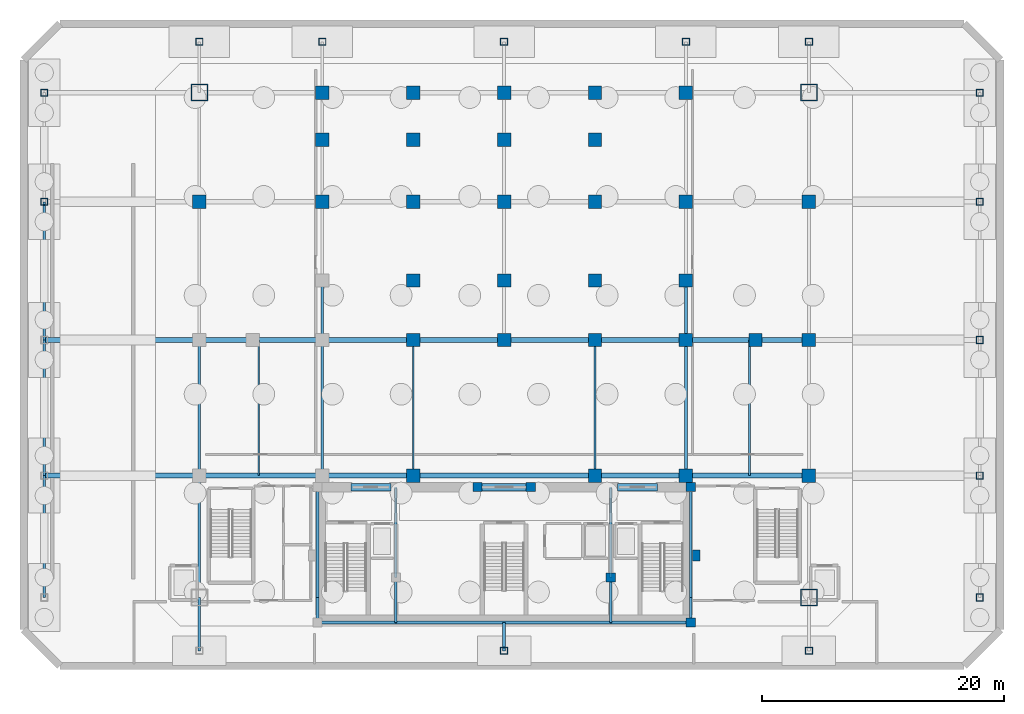
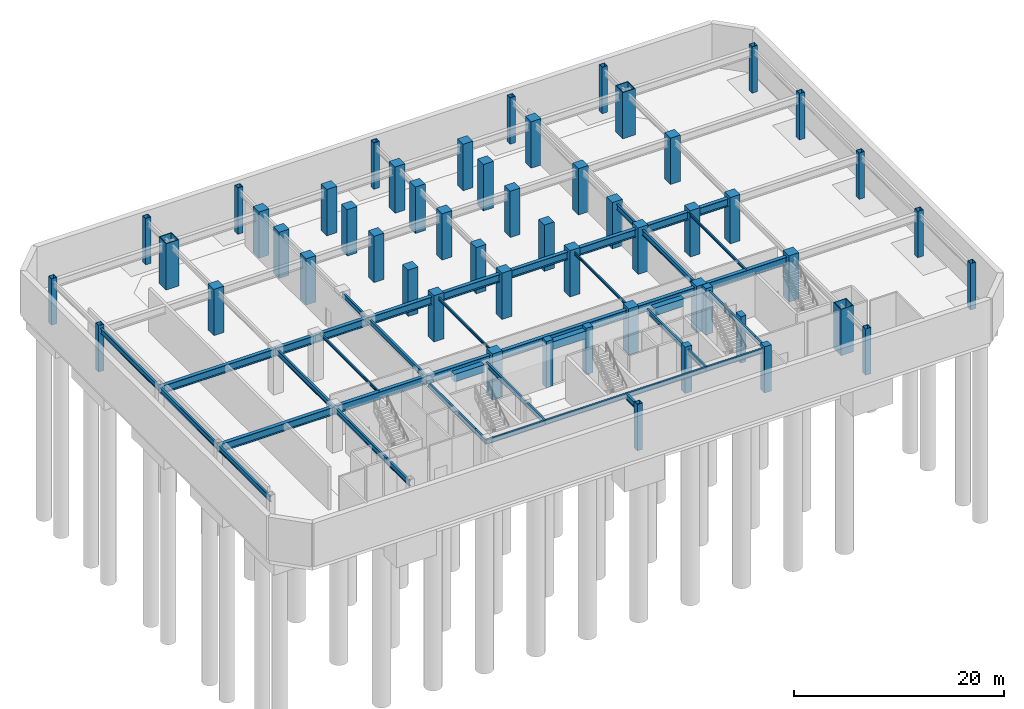
# One storey, part 2 of 10: 53 columns, 44 beams.
"""IFC4 building model written with IfcOpenShell, lengths in metres."""

import ifcopenshell
import ifcopenshell.guid

model = None  # the IFC model being written
_history = None  # IfcOwnerHistory: only IFC2X3 demands one
_inside = {}  # id of a spatial element -> (the spatial element, [elements in it])
_under = {}  # id of a project, library or spatial element -> (it, [spatial elements below it])
_declared = {}  # id of a project -> (the project, [libraries it declares])
_typed = {}  # id of a type object -> (the type object, [elements of that type])
_made_of = {}  # id of a material, layer set ... -> (it, [elements and type objects made of it])


def new_model(schema):
    """Start an empty IFC model of exactly this schema.

    Asked for "IFC4X3", IfcOpenShell would pick the latest addendum, in which some entities
    have other attributes; the version numbers below select the first issue.
    IFC2X3 requires an IfcOwnerHistory on every rooted entity: one is made here for all.
    """
    global model, _history
    if schema == "IFC4X3":
        model = ifcopenshell.file(schema_version=(4, 3, 0, 0))
    else:
        model = ifcopenshell.file(schema=schema)
    _inside.clear()
    _under.clear()
    _declared.clear()
    _typed.clear()
    _made_of.clear()
    _history = None
    if model.schema == "IFC2X3":
        org = make("IfcOrganization", Name="unknown")
        user = make(
            "IfcPersonAndOrganization",
            ThePerson=make("IfcPerson", FamilyName="unknown"),
            TheOrganization=org,
        )
        app = make(
            "IfcApplication",
            ApplicationDeveloper=org,
            Version="unknown",
            ApplicationFullName="unknown",
            ApplicationIdentifier="unknown",
        )
        _history = make(
            "IfcOwnerHistory",
            OwningUser=user,
            OwningApplication=app,
            ChangeAction="ADDED",
            CreationDate=0,
        )
    return model


def make(cls, **values):
    """One entity of the class cls with the attributes given. An attribute that is None is left unset."""
    return model.create_entity(
        cls, **{name: value for name, value in values.items() if value is not None}
    )


def rooted(cls, **values):
    """An entity with a GlobalId (a new one), such as an element, a storey or a relation."""
    return make(cls, GlobalId=ifcopenshell.guid.new(), OwnerHistory=_history, **values)


def si_unit(unit_type, name, prefix=None):
    """IfcSIUnit, for example si_unit("LENGTHUNIT", "METRE", prefix="MILLI")."""
    return make("IfcSIUnit", UnitType=unit_type, Prefix=prefix, Name=name)


def assignment(units):
    """IfcUnitAssignment: the units of a project."""
    return None if units is None else make("IfcUnitAssignment", Units=units)


def point(xyz):
    """IfcCartesianPoint."""
    return None if xyz is None else make("IfcCartesianPoint", Coordinates=xyz)


def direction(xyz):
    """IfcDirection."""
    return None if xyz is None else make("IfcDirection", DirectionRatios=xyz)


def frame(location, z_axis=None, x_axis=None):
    """IfcAxis2Placement3D, a coordinate frame: its origin and axes. An axis left out is left unset."""
    return make(
        "IfcAxis2Placement3D",
        Location=point(location),
        Axis=direction(z_axis),
        RefDirection=direction(x_axis),
    )


def frame_2d(location, x_axis=None):
    """IfcAxis2Placement2D, a coordinate frame in the plane: its origin and x axis."""
    return make(
        "IfcAxis2Placement2D", Location=point(location), RefDirection=direction(x_axis)
    )


def origin():
    """The frame at (0, 0, 0) with its axes left unset."""
    return frame((0.0, 0.0, 0.0))


def origin_2d():
    """The frame at (0, 0) in the plane with its x axis left unset."""
    return frame_2d((0.0, 0.0))


def place(relative_to, where):
    """IfcLocalPlacement: puts the frame where relative to a parent placement (None: the world)."""
    return make(
        "IfcLocalPlacement", PlacementRelTo=relative_to, RelativePlacement=where
    )


def context(
    kind, dimensions, precision=None, world=None, true_north=None, identifier=None
):
    """IfcGeometricRepresentationContext, for example the 3D "Model" context."""
    return make(
        "IfcGeometricRepresentationContext",
        ContextIdentifier=identifier,
        ContextType=kind,
        CoordinateSpaceDimension=dimensions,
        Precision=precision,
        WorldCoordinateSystem=world,
        TrueNorth=true_north,
    )


def subcontext(parent, identifier, kind, view, scale=None):
    """IfcGeometricRepresentationSubContext, for example "Body" below "Model"."""
    return make(
        "IfcGeometricRepresentationSubContext",
        ContextIdentifier=identifier,
        ContextType=kind,
        ParentContext=parent,
        TargetScale=scale,
        TargetView=view,
    )


def project(units=None, contexts=None):
    """IfcProject with its units and contexts."""
    return rooted(
        "IfcProject",
        Name="project",
        RepresentationContexts=contexts,
        UnitsInContext=assignment(units),
    )


def spatial(cls, under=None, at=None, **own):
    """A site, building, storey or space (cls), placed at a placement, below another one or the project."""
    s = rooted(cls, ObjectPlacement=at, **own)
    if under is not None:
        _under.setdefault(under.id(), (under, []))[1].append(s)
    return s


def profile(cls, at=None, kind="AREA", **sizes):
    """A parametric profile (cls). Its sizes go by their IFC names, for example OverallWidth=200.0."""
    return make(cls, ProfileType=kind, Position=at, **sizes)


def rectangle(**sizes):
    """IfcRectangleProfileDef."""
    return profile("IfcRectangleProfileDef", **sizes)


def hollow_rectangle(**sizes):
    """IfcRectangleHollowProfileDef."""
    return profile("IfcRectangleHollowProfileDef", **sizes)


def i_section(**sizes):
    """IfcIShapeProfileDef."""
    return profile("IfcIShapeProfileDef", **sizes)


def extrude(swept, where, along, depth):
    """IfcExtrudedAreaSolid: the profile swept, set in the frame where, extruded along a direction by depth."""
    return make(
        "IfcExtrudedAreaSolid",
        SweptArea=swept,
        Position=where,
        ExtrudedDirection=direction(along),
        Depth=depth,
    )


def shape(context_of_items, identifier, shape_type, items):
    """IfcShapeRepresentation: the items that make up one representation, for example the "Body"."""
    return make(
        "IfcShapeRepresentation",
        ContextOfItems=context_of_items,
        RepresentationIdentifier=identifier,
        RepresentationType=shape_type,
        Items=items,
    )


def material(Name=None, Category=None):
    """IfcMaterial."""
    return make("IfcMaterial", Name=Name, Category=Category)


def material_profile(
    of_material, cross_section, Name=None, Category=None, Priority=None
):
    """IfcMaterialProfile: a cross section and its material."""
    return make(
        "IfcMaterialProfile",
        Name=Name,
        Material=of_material,
        Profile=cross_section,
        Priority=Priority,
        Category=Category,
    )


def profile_set(profiles, Name=None, composite=None):
    """IfcMaterialProfileSet."""
    return make(
        "IfcMaterialProfileSet",
        Name=Name,
        MaterialProfiles=profiles,
        CompositeProfile=composite,
    )


def made_of(thing, what):
    """Note that an element or type object is made of a material, layer set ...; save() writes the relation."""
    if what is not None:
        _made_of.setdefault(what.id(), (what, []))[1].append(thing)
    return thing


def type_object(cls, material=None, **own):
    """A type object (cls), such as IfcWallType, which elements share."""
    return made_of(rooted(cls, **own), material)


def element(
    cls,
    number,
    at=None,
    inside=None,
    cuts=None,
    type_object=None,
    material=None,
    context=None,
    identifier="Body",
    shape_type=None,
    held_by="IfcProductDefinitionShape",
    body=None,
    shapes=None,
    **own,
):
    """One element of the class cls, such as IfcWall. Its Tag is "e" and its number.

    at: its placement. inside: the storey or other place that contains it. cuts: it is an
    opening in that element (IfcRelVoidsElement). A single representation is given by context,
    identifier, shape_type and body (its items); several are given by shapes. held_by: the class
    of the entity that holds the representations. save() writes the other relations.
    """
    e = rooted(cls, Tag="e%d" % number, ObjectPlacement=at, **own)
    if body is not None:
        shapes = [shape(context, identifier, shape_type, body)]
    if shapes is not None:
        e.Representation = make(held_by, Representations=shapes)
    if inside is not None:
        _inside.setdefault(inside.id(), (inside, []))[1].append(e)
    if cuts is not None:
        rooted(
            "IfcRelVoidsElement", RelatingBuildingElement=cuts, RelatedOpeningElement=e
        )
    if type_object is not None:
        _typed.setdefault(type_object.id(), (type_object, []))[1].append(e)
    return made_of(e, material)


def aggregate(whole, parts):
    """IfcRelAggregates: a whole, such as a stair, and the parts it consists of."""
    return rooted("IfcRelAggregates", RelatingObject=whole, RelatedObjects=parts)


def save(model, path):
    """Write the relations noted so far, then the file.

    IfcRelAggregates (storeys below a building ...), IfcRelContainedInSpatialStructure (elements
    in a storey), IfcRelDefinesByType, IfcRelAssociatesMaterial and IfcRelDeclares: one each for
    every whole, place, type object, material and project.
    """
    for whole, parts in _under.values():
        aggregate(whole, parts)
    for where, things in _inside.values():
        rooted(
            "IfcRelContainedInSpatialStructure",
            RelatedElements=things,
            RelatingStructure=where,
        )
    for kind, things in _typed.values():
        rooted("IfcRelDefinesByType", RelatedObjects=things, RelatingType=kind)
    for what, things in _made_of.values():
        rooted("IfcRelAssociatesMaterial", RelatedObjects=things, RelatingMaterial=what)
    for by, libraries in _declared.values():
        rooted("IfcRelDeclares", RelatingContext=by, RelatedDefinitions=libraries)
    model.write(path)


model = new_model("IFC4")

# Units and contexts
model_context = context("Model", 3, precision=1e-05, world=origin(), true_north=direction((0.0, 1.0)))
body_context = subcontext(model_context, "Body", "Model", "MODEL_VIEW")
ifc_project = project(units=[si_unit("LENGTHUNIT", "METRE"), si_unit("AREAUNIT", "SQUARE_METRE"), si_unit("VOLUMEUNIT", "CUBIC_METRE"), si_unit("PLANEANGLEUNIT", "RADIAN"), si_unit("MASSUNIT", "GRAM", prefix="KILO")], contexts=[model_context])

# Site, building, storey
site_placement = place(None, origin())
site = spatial("IfcSite", under=ifc_project, at=site_placement, CompositionType="ELEMENT")
building_placement = place(site_placement, origin())
building = spatial("IfcBuilding", under=site, at=building_placement, Name="Ventersveld Concourse Tower", CompositionType="ELEMENT")
storey_placement = place(building_placement, frame((0.0, 0.0, -10.800048828125)))
storey = spatial("IfcBuildingStorey", under=building, at=storey_placement, Name="B02", CompositionType="ELEMENT", Elevation=-10.800048828125)

# Columns
ifc_material_1 = material(Name="Structural steel S355ML", Category="steel")
ifc_material_profile_1 = material_profile(ifc_material_1, hollow_rectangle(XDim=0.60009765625, YDim=0.60009765625, WallThickness=0.0400390625, at=origin_2d()), Name="BOX 600x600x40")
ifc_profile_set_1 = profile_set([ifc_material_profile_1], Name="Structural steel S355ML")
column_type_1 = type_object("IfcColumnType", Name="COL-BOX600", PredefinedType="COLUMN", material=ifc_profile_set_1)
for number, where, z_axis, x_axis, name in (
    (1, (-9.199951171875, 35.0, 0.0), (0.0, 0.0, 1.0), (1.0, 0.0, 0.0), "B02 Podium Perimeter Column 04"),
    (2, (-9.199951171875, 44.0, 0.0), (0.0, 0.0, 1.0), (1.0, 0.0, 0.0), "B02 Podium Perimeter Column 05"),
    (3, (68.0, 2.35009765625, 0.0), (0.0, 0.0, 1.0), (1.0, 0.0, 0.0), "B02 Podium Perimeter Column 06"),
    (4, (68.0, 12.39990234375, 0.0), (0.0, 0.0, 1.0), (1.0, 0.0, 0.0), "B02 Podium Perimeter Column 07"),
    (5, (68.0, 23.60009765625, 0.0), (0.0, 0.0, 1.0), (1.0, 0.0, 0.0), "B02 Podium Perimeter Column 08"),
    (6, (68.0, 35.0, 0.0), (0.0, 0.0, 1.0), (1.0, 0.0, 0.0), "B02 Podium Perimeter Column 09"),
    (7, (68.0, 44.0, 0.0), (0.0, 0.0, 1.0), (1.0, 0.0, 0.0), "B02 Podium Perimeter Column 10"),
    (8, (3.60009765625, 48.199951171875, 0.0), (0.0, 0.0, 1.0), (1.0, 0.0, 0.0), "B02 Podium Perimeter Column 11"),
    (9, (13.75, 48.199951171875, 0.0), (0.0, 0.0, 1.0), (1.0, 0.0, 0.0), "B02 Podium Perimeter Column 12"),
    (10, (28.75, 48.199951171875, 0.0), (0.0, 0.0, 1.0), (1.0, 0.0, 0.0), "B02 Podium Perimeter Column 13"),
    (11, (43.75, 48.199951171875, 0.0), (0.0, 0.0, 1.0), (1.0, 0.0, 0.0), "B02 Podium Perimeter Column 14"),
    (12, (53.89990234375, 48.199951171875, 0.0), (0.0, 0.0, 1.0), (1.0, 0.0, 0.0), "B02 Podium Perimeter Column 15"),
    (13, (28.75, -2.050048828125, 0.0), (0.0, 0.0, 1.0), (1.0, 0.0, 0.0), "B02 Podium Perimeter Column 17"),
    (14, (53.89990234375, -2.050048828125, 0.0), (0.0, 0.0, 1.0), (1.0, 0.0, 0.0), "B02 Podium Perimeter Column 18"),
):
    element("IfcColumn", number, at=place(storey_placement, frame(where, z_axis=z_axis, x_axis=x_axis)), inside=storey, type_object=column_type_1, Name=name, PredefinedType="COLUMN", context=body_context, shape_type="SweptSolid", body=[
        extrude(hollow_rectangle(XDim=0.60009765625, YDim=0.60009765625, WallThickness=0.0400390625, at=origin_2d()), origin(), (0.0, 0.0, 1.0), 5.400146484375),
    ])
ifc_material_2 = material(Name="Concrete C60/75", Category="concrete")
ifc_material_profile_2 = material_profile(ifc_material_2, rectangle(XDim=1.10009765625, YDim=1.10009765625, at=origin_2d()), Name="RC 1100x1100")
ifc_profile_set_2 = profile_set([ifc_material_profile_2], Name="Concrete C60/75")
column_type_2 = type_object("IfcColumnType", Name="COL-RC1100", PredefinedType="COLUMN", material=ifc_profile_set_2)
for number, where, z_axis, x_axis, name in (
    (15, (3.60009765625, 35.0, 0.0), (0.0, 0.0, 1.0), (1.0, 0.0, 0.0), "B02 Station Grid Column G1B-E"),
    (16, (13.75, 35.0, 0.0), (0.0, 0.0, 1.0), (1.0, 0.0, 0.0), "B02 Station Grid Column G3-E"),
    (17, (13.75, 44.0, 0.0), (0.0, 0.0, 1.0), (1.0, 0.0, 0.0), "B02 Station Grid Column G3-F"),
    (18, (28.75, 23.60009765625, 0.0), (0.0, 0.0, 1.0), (1.0, 0.0, 0.0), "B02 Station Grid Column G5-D"),
    (19, (28.75, 35.0, 0.0), (0.0, 0.0, 1.0), (1.0, 0.0, 0.0), "B02 Station Grid Column G5-E"),
    (20, (28.75, 44.0, 0.0), (0.0, 0.0, 1.0), (1.0, 0.0, 0.0), "B02 Station Grid Column G5-F"),
    (21, (43.75, 12.39990234375, 0.0), (0.0, 0.0, 1.0), (1.0, 0.0, 0.0), "B02 Station Grid Column G7-C"),
    (22, (43.75, 23.60009765625, 0.0), (0.0, 0.0, 1.0), (1.0, 0.0, 0.0), "B02 Station Grid Column G7-D"),
    (23, (43.75, 35.0, 0.0), (0.0, 0.0, 1.0), (1.0, 0.0, 0.0), "B02 Station Grid Column G7-E"),
    (24, (43.75, 44.0, 0.0), (0.0, 0.0, 1.0), (1.0, 0.0, 0.0), "B02 Station Grid Column G7-F"),
    (25, (53.89990234375, 12.39990234375, 0.0), (0.0, 0.0, 1.0), (1.0, 0.0, 0.0), "B02 Station Grid Column G8B-C"),
    (26, (53.89990234375, 23.60009765625, 0.0), (0.0, 0.0, 1.0), (1.0, 0.0, 0.0), "B02 Station Grid Column G8B-D"),
    (27, (53.89990234375, 35.0, 0.0), (0.0, 0.0, 1.0), (1.0, 0.0, 0.0), "B02 Station Grid Column G8B-E"),
    (28, (21.25, 12.39990234375, 0.0), (0.0, 0.0, 1.0), (1.0, 0.0, 0.0), "B02 Station Tower-Line Column G4C"),
    (29, (36.25, 12.39990234375, 0.0), (0.0, 0.0, 1.0), (1.0, 0.0, 0.0), "B02 Station Tower-Line Column G6C"),
    (30, (21.25, 23.60009765625, 0.0), (0.0, 0.0, 1.0), (1.0, 0.0, 0.0), "B02 Station Tower-Line Column G4D"),
    (31, (36.25, 23.60009765625, 0.0), (0.0, 0.0, 1.0), (1.0, 0.0, 0.0), "B02 Station Tower-Line Column G6D"),
    (32, (49.5, 23.60009765625, 0.0), (0.0, 0.0, 1.0), (1.0, 0.0, 0.0), "B02 Station Tower-Line Column G8AD"),
    (33, (21.25, 28.5, 0.0), (0.0, 0.0, 1.0), (1.0, 0.0, 0.0), "B02 Station Tower-Line Column G4DN"),
    (34, (28.75, 28.5, 0.0), (0.0, 0.0, 1.0), (1.0, 0.0, 0.0), "B02 Station Tower-Line Column G5DN"),
    (35, (36.25, 28.5, 0.0), (0.0, 0.0, 1.0), (1.0, 0.0, 0.0), "B02 Station Tower-Line Column G6DN"),
    (36, (43.75, 28.5, 0.0), (0.0, 0.0, 1.0), (1.0, 0.0, 0.0), "B02 Station Tower-Line Column G7DN"),
    (37, (21.25, 35.0, 0.0), (0.0, 0.0, 1.0), (1.0, 0.0, 0.0), "B02 Station Tower-Line Column G4E"),
    (38, (36.25, 35.0, 0.0), (0.0, 0.0, 1.0), (1.0, 0.0, 0.0), "B02 Station Tower-Line Column G6E"),
    (39, (13.75, 40.1201171875, 0.0), (0.0, 0.0, 1.0), (1.0, 0.0, 0.0), "B02 Station Tower-Line Column G3EM"),
    (40, (21.25, 40.1201171875, 0.0), (0.0, 0.0, 1.0), (1.0, 0.0, 0.0), "B02 Station Tower-Line Column G4EM"),
    (41, (28.75, 40.1201171875, 0.0), (0.0, 0.0, 1.0), (1.0, 0.0, 0.0), "B02 Station Tower-Line Column G5EM"),
    (42, (36.25, 40.1201171875, 0.0), (0.0, 0.0, 1.0), (1.0, 0.0, 0.0), "B02 Station Tower-Line Column G6EM"),
    (43, (21.25, 44.0, 0.0), (0.0, 0.0, 1.0), (1.0, 0.0, 0.0), "B02 Station Tower-Line Column G4F"),
    (44, (36.25, 44.0, 0.0), (0.0, 0.0, 1.0), (1.0, 0.0, 0.0), "B02 Station Tower-Line Column G6F"),
):
    element("IfcColumn", number, at=place(storey_placement, frame(where, z_axis=z_axis, x_axis=x_axis)), inside=storey, type_object=column_type_2, Name=name, PredefinedType="COLUMN", context=body_context, shape_type="SweptSolid", body=[
        extrude(rectangle(XDim=1.10009765625, YDim=1.10009765625, at=origin_2d()), origin(), (0.0, 0.0, 1.0), 5.400146484375),
    ])
ifc_material_3 = material(Name="Concrete C50/60", Category="concrete")
ifc_material_profile_3 = material_profile(ifc_material_3, rectangle(XDim=0.75, YDim=0.75, at=origin_2d()), Name="RC 750x750")
ifc_profile_set_3 = profile_set([ifc_material_profile_3], Name="Concrete C50/60")
column_type_3 = type_object("IfcColumnType", Name="COL-RC750", PredefinedType="COLUMN", material=ifc_profile_set_3)
for number, where, z_axis, x_axis, name in (
    (45, (44.14990234375, 0.280029296875, 0.0), (0.0, 0.0, 1.0), (1.0, 0.0, 0.0), "B02 Core Spine Column CC-SE"),
    (46, (44.14990234375, 11.449951171875, 0.0), (0.0, 0.0, 1.0), (1.0, 0.0, 0.0), "B02 Core Spine Column CC-NE"),
    (47, (37.550048828125, 4.0, 0.0), (0.0, 0.0, 1.0), (1.0, 0.0, 0.0), "B02 Core Spine Column CM-2"),
    (48, (26.550048828125, 11.449951171875, 0.0), (0.0, 0.0, 1.0), (1.0, 0.0, 0.0), "B02 Core Spine Column CM-3"),
    (49, (30.949951171875, 11.449951171875, 0.0), (0.0, 0.0, 1.0), (1.0, 0.0, 0.0), "B02 Core Spine Column CM-4"),
):
    element("IfcColumn", number, at=place(storey_placement, frame(where, z_axis=z_axis, x_axis=x_axis)), inside=storey, type_object=column_type_3, Name=name, PredefinedType="COLUMN", context=body_context, shape_type="SweptSolid", body=[
        extrude(rectangle(XDim=0.75, YDim=0.75, at=origin_2d()), origin(), (0.0, 0.0, 1.0), 5.400146484375),
    ])
ifc_material_4 = material(Name="Structural steel S460ML", Category="steel")
ifc_material_profile_4 = material_profile(ifc_material_4, hollow_rectangle(XDim=1.39990234375, YDim=1.39990234375, WallThickness=0.080078125, at=origin_2d()), Name="BOX 1400x1400x80")
ifc_profile_set_4 = profile_set([ifc_material_profile_4], Name="Structural steel S460ML")
column_type_4 = type_object("IfcColumnType", Name="MC-1400", PredefinedType="USERDEFINED", material=ifc_profile_set_4)
for number, where, z_axis, x_axis, name in (
    (50, (53.89990234375, 2.35009765625, 0.0), (0.0, 0.0, 1.0), (1.0, 0.0, 0.0), "B02 Corner Mega-Column MC-SE"),
    (51, (53.89990234375, 44.0, 0.0), (0.0, 0.0, 1.0), (1.0, 0.0, 0.0), "B02 Corner Mega-Column MC-NE"),
    (52, (3.60009765625, 44.0, 0.0), (0.0, 0.0, 1.0), (1.0, 0.0, 0.0), "B02 Corner Mega-Column MC-NW"),
):
    element("IfcColumn", number, at=place(storey_placement, frame(where, z_axis=z_axis, x_axis=x_axis)), inside=storey, type_object=column_type_4, Name=name, ObjectType="MEGA_COLUMN", PredefinedType="USERDEFINED", context=body_context, shape_type="SweptSolid", body=[
        extrude(hollow_rectangle(XDim=1.39990234375, YDim=1.39990234375, WallThickness=0.080078125, at=origin_2d()), origin(), (0.0, 0.0, 1.0), 5.400146484375),
    ])
ifc_material_profile_5 = material_profile(ifc_material_2, rectangle(XDim=0.60009765625, YDim=0.89990234375, at=origin_2d()), Name="RC 600x900")
ifc_profile_set_5 = profile_set([ifc_material_profile_5], Name="Concrete C60/75")
column_type_5 = type_object("IfcColumnType", Name="PIL-RC600x900", PredefinedType="PILASTER", material=ifc_profile_set_5)
column_placement = place(storey_placement, frame((44.60009765625, 5.800048828125, 0.0), z_axis=(0.0, 0.0, 1.0), x_axis=(1.0, 0.0, 0.0)))
element("IfcColumn", 53, at=column_placement, inside=storey, type_object=column_type_5, Name="B02 Core Engaged Pilaster PIL-E", PredefinedType="PILASTER", context=body_context, shape_type="SweptSolid", body=[
    extrude(rectangle(XDim=0.60009765625, YDim=0.89990234375, at=origin_2d()), origin(), (0.0, 0.0, 1.0), 5.400146484375),
])

# Beams
ifc_material_profile_6 = material_profile(ifc_material_2, rectangle(XDim=0.60009765625, YDim=0.89990234375, at=origin_2d()), Name="RC 600x900")
ifc_profile_set_6 = profile_set([ifc_material_profile_6], Name="Concrete C60/75")
beam_type_1 = type_object("IfcBeamType", Name="CB-RC600x900L", PredefinedType="LINTEL", material=ifc_profile_set_6)
beam_1_placement = place(storey_placement, frame((16.10009765625, 11.449951171875, 4.60009765625), z_axis=(1.0, 0.0, 0.0), x_axis=(0.0, 1.0, 0.0)))
element("IfcBeam", 54, at=beam_1_placement, inside=storey, type_object=beam_type_1, Name="B02 Core Coupling Lintel Beam 1", PredefinedType="LINTEL", context=body_context, shape_type="SweptSolid", body=[
    extrude(rectangle(XDim=0.60009765625, YDim=0.89990234375, at=origin_2d()), origin(), (0.0, 0.0, 1.0), 3.2998046875),
])
beam_2_placement = place(storey_placement, frame((26.5, 11.449951171875, 4.60009765625), z_axis=(1.0, 0.0, 0.0), x_axis=(0.0, 1.0, 0.0)))
element("IfcBeam", 55, at=beam_2_placement, inside=storey, type_object=beam_type_1, Name="B02 Core Coupling Lintel Beam 2", PredefinedType="LINTEL", context=body_context, shape_type="SweptSolid", body=[
    extrude(rectangle(XDim=0.60009765625, YDim=0.89990234375, at=origin_2d()), origin(), (0.0, 0.0, 1.0), 4.5),
])
beam_3_placement = place(storey_placement, frame((38.10009765625, 11.449951171875, 4.60009765625), z_axis=(1.0, 0.0, 0.0), x_axis=(0.0, 1.0, 0.0)))
element("IfcBeam", 56, at=beam_3_placement, inside=storey, type_object=beam_type_1, Name="B02 Core Coupling Lintel Beam 3", PredefinedType="LINTEL", context=body_context, shape_type="SweptSolid", body=[
    extrude(rectangle(XDim=0.60009765625, YDim=0.89990234375, at=origin_2d()), origin(), (0.0, 0.0, 1.0), 3.2998046875),
])
ifc_material_5 = material(Name="Structural steel S355J2", Category="steel")
ifc_material_profile_7 = material_profile(ifc_material_5, i_section(OverallWidth=0.39990234375, OverallDepth=0.89990234375, WebThickness=0.02197265625, FlangeThickness=0.035888671875, at=origin_2d()), Name="PG 900x400x36")
ifc_profile_set_7 = profile_set([ifc_material_profile_7], Name="Structural steel S355J2")
beam_type_2 = type_object("IfcBeamType", Name="GRD-PG900", PredefinedType="USERDEFINED", material=ifc_profile_set_7)
beam_4_placement = place(storey_placement, frame((-9.199951171875, 12.39990234375, 4.60009765625), z_axis=(1.0, 0.0, 0.0), x_axis=(0.0, 1.0, 0.0)))
element("IfcBeam", 57, at=beam_4_placement, inside=storey, type_object=beam_type_2, Name="B02 Podium Primary Girder Y=12.4m", ObjectType="GIRDER", PredefinedType="USERDEFINED", context=body_context, shape_type="SweptSolid", body=[
    extrude(i_section(OverallWidth=0.39990234375, OverallDepth=0.89990234375, WebThickness=0.02197265625, FlangeThickness=0.035888671875, at=origin_2d()), origin(), (0.0, 0.0, 1.0), 12.800048828125),
])
beam_5_placement = place(storey_placement, frame((3.60009765625, 12.39990234375, 4.60009765625), z_axis=(1.0, 0.0, 0.0), x_axis=(0.0, 1.0, 0.0)))
element("IfcBeam", 58, at=beam_5_placement, inside=storey, type_object=beam_type_2, Name="B02 Podium Primary Girder Y=12.4m", ObjectType="GIRDER", PredefinedType="USERDEFINED", context=body_context, shape_type="SweptSolid", body=[
    extrude(i_section(OverallWidth=0.39990234375, OverallDepth=0.89990234375, WebThickness=0.02197265625, FlangeThickness=0.035888671875, at=origin_2d()), origin(), (0.0, 0.0, 1.0), 10.14990234375),
])
beam_6_placement = place(storey_placement, frame((13.75, 12.39990234375, 4.60009765625), z_axis=(1.0, 0.0, 0.0), x_axis=(0.0, 1.0, 0.0)))
element("IfcBeam", 59, at=beam_6_placement, inside=storey, type_object=beam_type_2, Name="B02 Podium Primary Girder Y=12.4m", ObjectType="GIRDER", PredefinedType="USERDEFINED", context=body_context, shape_type="SweptSolid", body=[
    extrude(i_section(OverallWidth=0.39990234375, OverallDepth=0.89990234375, WebThickness=0.02197265625, FlangeThickness=0.035888671875, at=origin_2d()), origin(), (0.0, 0.0, 1.0), 7.5),
])
beam_7_placement = place(storey_placement, frame((21.25, 12.39990234375, 4.60009765625), z_axis=(1.0, 0.0, 0.0), x_axis=(0.0, 1.0, 0.0)))
element("IfcBeam", 60, at=beam_7_placement, inside=storey, type_object=beam_type_2, Name="B02 Podium Primary Girder Y=12.4m", ObjectType="GIRDER", PredefinedType="USERDEFINED", context=body_context, shape_type="SweptSolid", body=[
    extrude(i_section(OverallWidth=0.39990234375, OverallDepth=0.89990234375, WebThickness=0.02197265625, FlangeThickness=0.035888671875, at=origin_2d()), origin(), (0.0, 0.0, 1.0), 15.0),
])
beam_8_placement = place(storey_placement, frame((36.25, 12.39990234375, 4.60009765625), z_axis=(1.0, 0.0, 0.0), x_axis=(0.0, 1.0, 0.0)))
element("IfcBeam", 61, at=beam_8_placement, inside=storey, type_object=beam_type_2, Name="B02 Podium Primary Girder Y=12.4m", ObjectType="GIRDER", PredefinedType="USERDEFINED", context=body_context, shape_type="SweptSolid", body=[
    extrude(i_section(OverallWidth=0.39990234375, OverallDepth=0.89990234375, WebThickness=0.02197265625, FlangeThickness=0.035888671875, at=origin_2d()), origin(), (0.0, 0.0, 1.0), 7.5),
])
beam_9_placement = place(storey_placement, frame((43.75, 12.39990234375, 4.60009765625), z_axis=(1.0, 0.0, 0.0), x_axis=(0.0, 1.0, 0.0)))
element("IfcBeam", 62, at=beam_9_placement, inside=storey, type_object=beam_type_2, Name="B02 Podium Primary Girder Y=12.4m", ObjectType="GIRDER", PredefinedType="USERDEFINED", context=body_context, shape_type="SweptSolid", body=[
    extrude(i_section(OverallWidth=0.39990234375, OverallDepth=0.89990234375, WebThickness=0.02197265625, FlangeThickness=0.035888671875, at=origin_2d()), origin(), (0.0, 0.0, 1.0), 10.14990234375),
])
beam_10_placement = place(storey_placement, frame((-9.199951171875, 23.60009765625, 4.60009765625), z_axis=(1.0, 0.0, 0.0), x_axis=(0.0, 1.0, 0.0)))
element("IfcBeam", 63, at=beam_10_placement, inside=storey, type_object=beam_type_2, Name="B02 Podium Primary Girder Y=23.6m", ObjectType="GIRDER", PredefinedType="USERDEFINED", context=body_context, shape_type="SweptSolid", body=[
    extrude(i_section(OverallWidth=0.39990234375, OverallDepth=0.89990234375, WebThickness=0.02197265625, FlangeThickness=0.035888671875, at=origin_2d()), origin(), (0.0, 0.0, 1.0), 12.800048828125),
])
beam_11_placement = place(storey_placement, frame((3.60009765625, 23.60009765625, 4.60009765625), z_axis=(1.0, 0.0, 0.0), x_axis=(0.0, 1.0, 0.0)))
element("IfcBeam", 64, at=beam_11_placement, inside=storey, type_object=beam_type_2, Name="B02 Podium Primary Girder Y=23.6m", ObjectType="GIRDER", PredefinedType="USERDEFINED", context=body_context, shape_type="SweptSolid", body=[
    extrude(i_section(OverallWidth=0.39990234375, OverallDepth=0.89990234375, WebThickness=0.02197265625, FlangeThickness=0.035888671875, at=origin_2d()), origin(), (0.0, 0.0, 1.0), 4.39990234375),
])
beam_12_placement = place(storey_placement, frame((8.0, 23.60009765625, 4.60009765625), z_axis=(1.0, 0.0, 0.0), x_axis=(0.0, 1.0, 0.0)))
element("IfcBeam", 65, at=beam_12_placement, inside=storey, type_object=beam_type_2, Name="B02 Podium Primary Girder Y=23.6m", ObjectType="GIRDER", PredefinedType="USERDEFINED", context=body_context, shape_type="SweptSolid", body=[
    extrude(i_section(OverallWidth=0.39990234375, OverallDepth=0.89990234375, WebThickness=0.02197265625, FlangeThickness=0.035888671875, at=origin_2d()), origin(), (0.0, 0.0, 1.0), 5.75),
])
for number, where, z_axis, x_axis, name in (
    (66, (13.75, 23.60009765625, 4.60009765625), (1.0, 0.0, 0.0), (0.0, 1.0, 0.0), "B02 Podium Primary Girder Y=23.6m"),
    (67, (21.25, 23.60009765625, 4.60009765625), (1.0, 0.0, 0.0), (0.0, 1.0, 0.0), "B02 Podium Primary Girder Y=23.6m"),
    (68, (28.75, 23.60009765625, 4.60009765625), (1.0, 0.0, 0.0), (0.0, 1.0, 0.0), "B02 Podium Primary Girder Y=23.6m"),
    (69, (36.25, 23.60009765625, 4.60009765625), (1.0, 0.0, 0.0), (0.0, 1.0, 0.0), "B02 Podium Primary Girder Y=23.6m"),
):
    element("IfcBeam", number, at=place(storey_placement, frame(where, z_axis=z_axis, x_axis=x_axis)), inside=storey, type_object=beam_type_2, Name=name, ObjectType="GIRDER", PredefinedType="USERDEFINED", context=body_context, shape_type="SweptSolid", body=[
        extrude(i_section(OverallWidth=0.39990234375, OverallDepth=0.89990234375, WebThickness=0.02197265625, FlangeThickness=0.035888671875, at=origin_2d()), origin(), (0.0, 0.0, 1.0), 7.5),
    ])
beam_13_placement = place(storey_placement, frame((43.75, 23.60009765625, 4.60009765625), z_axis=(1.0, 0.0, 0.0), x_axis=(0.0, 1.0, 0.0)))
element("IfcBeam", 70, at=beam_13_placement, inside=storey, type_object=beam_type_2, Name="B02 Podium Primary Girder Y=23.6m", ObjectType="GIRDER", PredefinedType="USERDEFINED", context=body_context, shape_type="SweptSolid", body=[
    extrude(i_section(OverallWidth=0.39990234375, OverallDepth=0.89990234375, WebThickness=0.02197265625, FlangeThickness=0.035888671875, at=origin_2d()), origin(), (0.0, 0.0, 1.0), 5.75),
])
beam_14_placement = place(storey_placement, frame((49.5, 23.60009765625, 4.60009765625), z_axis=(1.0, 0.0, 0.0), x_axis=(0.0, 1.0, 0.0)))
element("IfcBeam", 71, at=beam_14_placement, inside=storey, type_object=beam_type_2, Name="B02 Podium Primary Girder Y=23.6m", ObjectType="GIRDER", PredefinedType="USERDEFINED", context=body_context, shape_type="SweptSolid", body=[
    extrude(i_section(OverallWidth=0.39990234375, OverallDepth=0.89990234375, WebThickness=0.02197265625, FlangeThickness=0.035888671875, at=origin_2d()), origin(), (0.0, 0.0, 1.0), 4.39990234375),
])
ifc_material_profile_8 = material_profile(ifc_material_5, i_section(OverallWidth=0.2119140625, OverallDepth=0.54443359375, WebThickness=0.0126953125, FlangeThickness=0.021240234375, FilletRadius=0.0126953125, at=origin_2d()), Name="UB 533x210x122")
ifc_profile_set_8 = profile_set([ifc_material_profile_8], Name="Structural steel S355J2")
beam_type_3 = type_object("IfcBeamType", Name="GRD-UB533H", PredefinedType="T_BEAM", material=ifc_profile_set_8)
beam_15_placement = place(storey_placement, frame((13.35009765625, 0.280029296875, 4.77783203125), z_axis=(0.0, 1.0, 0.0), x_axis=(-1.0, 0.0, 0.0)))
element("IfcBeam", 72, at=beam_15_placement, inside=storey, type_object=beam_type_3, Name="B02 Core West Tie Beam S", PredefinedType="T_BEAM", context=body_context, shape_type="SweptSolid", body=[
    extrude(i_section(OverallWidth=0.2119140625, OverallDepth=0.54443359375, WebThickness=0.0126953125, FlangeThickness=0.021240234375, FilletRadius=0.0126953125, at=origin_2d()), origin(), (0.0, 0.0, 1.0), 2.070068359375),
])
beam_16_placement = place(storey_placement, frame((13.35009765625, 2.35009765625, 4.77783203125), z_axis=(0.0, 1.0, 0.0), x_axis=(-1.0, 0.0, 0.0)))
element("IfcBeam", 73, at=beam_16_placement, inside=storey, type_object=beam_type_3, Name="B02 Core West Tie Beam N", PredefinedType="T_BEAM", context=body_context, shape_type="SweptSolid", body=[
    extrude(i_section(OverallWidth=0.2119140625, OverallDepth=0.54443359375, WebThickness=0.0126953125, FlangeThickness=0.021240234375, FilletRadius=0.0126953125, at=origin_2d()), origin(), (0.0, 0.0, 1.0), 9.099853515625),
])
beam_17_placement = place(storey_placement, frame((44.14990234375, 0.280029296875, 4.77783203125), z_axis=(0.0, 1.0, 0.0), x_axis=(-1.0, 0.0, 0.0)))
element("IfcBeam", 74, at=beam_17_placement, inside=storey, type_object=beam_type_3, Name="B02 Core East Tie Beam S", PredefinedType="T_BEAM", context=body_context, shape_type="SweptSolid", body=[
    extrude(i_section(OverallWidth=0.2119140625, OverallDepth=0.54443359375, WebThickness=0.0126953125, FlangeThickness=0.021240234375, FilletRadius=0.0126953125, at=origin_2d()), origin(), (0.0, 0.0, 1.0), 2.070068359375),
])
beam_18_placement = place(storey_placement, frame((44.14990234375, 2.35009765625, 4.77783203125), z_axis=(0.0, 1.0, 0.0), x_axis=(-1.0, 0.0, 0.0)))
element("IfcBeam", 75, at=beam_18_placement, inside=storey, type_object=beam_type_3, Name="B02 Core East Tie Beam N", PredefinedType="T_BEAM", context=body_context, shape_type="SweptSolid", body=[
    extrude(i_section(OverallWidth=0.2119140625, OverallDepth=0.54443359375, WebThickness=0.0126953125, FlangeThickness=0.021240234375, FilletRadius=0.0126953125, at=origin_2d()), origin(), (0.0, 0.0, 1.0), 9.099853515625),
])
beam_19_placement = place(storey_placement, frame((13.35009765625, 0.280029296875, 4.77783203125), z_axis=(1.0, 0.0, 0.0), x_axis=(0.0, 1.0, 0.0)))
element("IfcBeam", 76, at=beam_19_placement, inside=storey, type_object=beam_type_3, Name="B02 Core South Tie Beam W", PredefinedType="T_BEAM", context=body_context, shape_type="SweptSolid", body=[
    extrude(i_section(OverallWidth=0.2119140625, OverallDepth=0.54443359375, WebThickness=0.0126953125, FlangeThickness=0.021240234375, FilletRadius=0.0126953125, at=origin_2d()), origin(), (0.0, 0.0, 1.0), 6.469970703125),
])
beam_20_placement = place(storey_placement, frame((19.820068359375, 0.280029296875, 4.77783203125), z_axis=(1.0, 0.0, 0.0), x_axis=(0.0, 1.0, 0.0)))
element("IfcBeam", 77, at=beam_20_placement, inside=storey, type_object=beam_type_3, Name="B02 Core South Tie Beam C", PredefinedType="T_BEAM", context=body_context, shape_type="SweptSolid", body=[
    extrude(i_section(OverallWidth=0.2119140625, OverallDepth=0.54443359375, WebThickness=0.0126953125, FlangeThickness=0.021240234375, FilletRadius=0.0126953125, at=origin_2d()), origin(), (0.0, 0.0, 1.0), 17.72998046875),
])
beam_21_placement = place(storey_placement, frame((37.550048828125, 0.280029296875, 4.77783203125), z_axis=(1.0, 0.0, 0.0), x_axis=(0.0, 1.0, 0.0)))
element("IfcBeam", 78, at=beam_21_placement, inside=storey, type_object=beam_type_3, Name="B02 Core South Tie Beam E", PredefinedType="T_BEAM", context=body_context, shape_type="SweptSolid", body=[
    extrude(i_section(OverallWidth=0.2119140625, OverallDepth=0.54443359375, WebThickness=0.0126953125, FlangeThickness=0.021240234375, FilletRadius=0.0126953125, at=origin_2d()), origin(), (0.0, 0.0, 1.0), 6.599853515625),
])
beam_22_placement = place(storey_placement, frame((19.820068359375, 0.280029296875, 4.77783203125), z_axis=(0.0, 1.0, 0.0), x_axis=(-1.0, 0.0, 0.0)))
element("IfcBeam", 79, at=beam_22_placement, inside=storey, type_object=beam_type_3, Name="B02 Core Spine N-S Tie Beam W1", PredefinedType="T_BEAM", context=body_context, shape_type="SweptSolid", body=[
    extrude(i_section(OverallWidth=0.2119140625, OverallDepth=0.54443359375, WebThickness=0.0126953125, FlangeThickness=0.021240234375, FilletRadius=0.0126953125, at=origin_2d()), origin(), (0.0, 0.0, 1.0), 3.719970703125),
])
beam_23_placement = place(storey_placement, frame((19.820068359375, 4.0, 4.77783203125), z_axis=(0.0, 1.0, 0.0), x_axis=(-1.0, 0.0, 0.0)))
element("IfcBeam", 80, at=beam_23_placement, inside=storey, type_object=beam_type_3, Name="B02 Core Spine N-S Tie Beam W2", PredefinedType="T_BEAM", context=body_context, shape_type="SweptSolid", body=[
    extrude(i_section(OverallWidth=0.2119140625, OverallDepth=0.54443359375, WebThickness=0.0126953125, FlangeThickness=0.021240234375, FilletRadius=0.0126953125, at=origin_2d()), origin(), (0.0, 0.0, 1.0), 7.449951171875),
])
beam_24_placement = place(storey_placement, frame((37.550048828125, 0.280029296875, 4.77783203125), z_axis=(0.0, 1.0, 0.0), x_axis=(-1.0, 0.0, 0.0)))
element("IfcBeam", 81, at=beam_24_placement, inside=storey, type_object=beam_type_3, Name="B02 Core Spine N-S Tie Beam E1", PredefinedType="T_BEAM", context=body_context, shape_type="SweptSolid", body=[
    extrude(i_section(OverallWidth=0.2119140625, OverallDepth=0.54443359375, WebThickness=0.0126953125, FlangeThickness=0.021240234375, FilletRadius=0.0126953125, at=origin_2d()), origin(), (0.0, 0.0, 1.0), 3.719970703125),
])
beam_25_placement = place(storey_placement, frame((37.550048828125, 4.0, 4.77783203125), z_axis=(0.0, 1.0, 0.0), x_axis=(-1.0, 0.0, 0.0)))
element("IfcBeam", 82, at=beam_25_placement, inside=storey, type_object=beam_type_3, Name="B02 Core Spine N-S Tie Beam E2", PredefinedType="T_BEAM", context=body_context, shape_type="SweptSolid", body=[
    extrude(i_section(OverallWidth=0.2119140625, OverallDepth=0.54443359375, WebThickness=0.0126953125, FlangeThickness=0.021240234375, FilletRadius=0.0126953125, at=origin_2d()), origin(), (0.0, 0.0, 1.0), 7.449951171875),
])
ifc_material_profile_9 = material_profile(ifc_material_5, i_section(OverallWidth=0.230224609375, OverallDepth=0.6171875, WebThickness=0.01318359375, FlangeThickness=0.022216796875, FilletRadius=0.0126953125, at=origin_2d()), Name="UB 610x229x140")
ifc_profile_set_9 = profile_set([ifc_material_profile_9], Name="Structural steel S355J2")
beam_type_4 = type_object("IfcBeamType", Name="GRD-UB610", PredefinedType="USERDEFINED", material=ifc_profile_set_9)
beam_26_placement = place(storey_placement, frame((-9.199951171875, 2.35009765625, 4.741455078125), z_axis=(0.0, 1.0, 0.0), x_axis=(-1.0, 0.0, 0.0)))
element("IfcBeam", 83, at=beam_26_placement, inside=storey, type_object=beam_type_4, Name="B02 Podium N-S Girder X=-9.20m", ObjectType="GIRDER", PredefinedType="USERDEFINED", context=body_context, shape_type="SweptSolid", body=[
    extrude(i_section(OverallWidth=0.230224609375, OverallDepth=0.6171875, WebThickness=0.01318359375, FlangeThickness=0.022216796875, FilletRadius=0.0126953125, at=origin_2d()), origin(), (0.0, 0.0, 1.0), 10.0498046875),
])
beam_27_placement = place(storey_placement, frame((-9.199951171875, 12.39990234375, 4.741455078125), z_axis=(0.0, 1.0, 0.0), x_axis=(-1.0, 0.0, 0.0)))
element("IfcBeam", 84, at=beam_27_placement, inside=storey, type_object=beam_type_4, Name="B02 Podium N-S Girder X=-9.20m", ObjectType="GIRDER", PredefinedType="USERDEFINED", context=body_context, shape_type="SweptSolid", body=[
    extrude(i_section(OverallWidth=0.230224609375, OverallDepth=0.6171875, WebThickness=0.01318359375, FlangeThickness=0.022216796875, FilletRadius=0.0126953125, at=origin_2d()), origin(), (0.0, 0.0, 1.0), 11.2001953125),
])
beam_28_placement = place(storey_placement, frame((-9.199951171875, 23.60009765625, 4.741455078125), z_axis=(0.0, 1.0, 0.0), x_axis=(-1.0, 0.0, 0.0)))
element("IfcBeam", 85, at=beam_28_placement, inside=storey, type_object=beam_type_4, Name="B02 Podium N-S Girder X=-9.20m", ObjectType="GIRDER", PredefinedType="USERDEFINED", context=body_context, shape_type="SweptSolid", body=[
    extrude(i_section(OverallWidth=0.230224609375, OverallDepth=0.6171875, WebThickness=0.01318359375, FlangeThickness=0.022216796875, FilletRadius=0.0126953125, at=origin_2d()), origin(), (0.0, 0.0, 1.0), 11.39990234375),
])
beam_29_placement = place(storey_placement, frame((3.60009765625, -2.050048828125, 4.741455078125), z_axis=(0.0, 1.0, 0.0), x_axis=(-1.0, 0.0, 0.0)))
element("IfcBeam", 86, at=beam_29_placement, inside=storey, type_object=beam_type_4, Name="B02 Podium N-S Girder X=3.60m", ObjectType="GIRDER", PredefinedType="USERDEFINED", context=body_context, shape_type="SweptSolid", body=[
    extrude(i_section(OverallWidth=0.230224609375, OverallDepth=0.6171875, WebThickness=0.01318359375, FlangeThickness=0.022216796875, FilletRadius=0.0126953125, at=origin_2d()), origin(), (0.0, 0.0, 1.0), 4.400146484375),
])
beam_30_placement = place(storey_placement, frame((3.60009765625, 2.35009765625, 4.741455078125), z_axis=(0.0, 1.0, 0.0), x_axis=(-1.0, 0.0, 0.0)))
element("IfcBeam", 87, at=beam_30_placement, inside=storey, type_object=beam_type_4, Name="B02 Podium N-S Girder X=3.60m", ObjectType="GIRDER", PredefinedType="USERDEFINED", context=body_context, shape_type="SweptSolid", body=[
    extrude(i_section(OverallWidth=0.230224609375, OverallDepth=0.6171875, WebThickness=0.01318359375, FlangeThickness=0.022216796875, FilletRadius=0.0126953125, at=origin_2d()), origin(), (0.0, 0.0, 1.0), 10.0498046875),
])
for number, where, z_axis, x_axis, name in (
    (88, (3.60009765625, 12.39990234375, 4.741455078125), (0.0, 1.0, 0.0), (-1.0, 0.0, 0.0), "B02 Podium N-S Girder X=3.60m"),
    (89, (13.75, 12.39990234375, 4.741455078125), (0.0, 1.0, 0.0), (-1.0, 0.0, 0.0), "B02 Podium N-S Girder X=13.75m"),
):
    element("IfcBeam", number, at=place(storey_placement, frame(where, z_axis=z_axis, x_axis=x_axis)), inside=storey, type_object=beam_type_4, Name=name, ObjectType="GIRDER", PredefinedType="USERDEFINED", context=body_context, shape_type="SweptSolid", body=[
        extrude(i_section(OverallWidth=0.230224609375, OverallDepth=0.6171875, WebThickness=0.01318359375, FlangeThickness=0.022216796875, FilletRadius=0.0126953125, at=origin_2d()), origin(), (0.0, 0.0, 1.0), 11.2001953125),
    ])
beam_31_placement = place(storey_placement, frame((13.75, 23.60009765625, 4.741455078125), z_axis=(0.0, 1.0, 0.0), x_axis=(-1.0, 0.0, 0.0)))
element("IfcBeam", 90, at=beam_31_placement, inside=storey, type_object=beam_type_4, Name="B02 Podium N-S Girder X=13.75m", ObjectType="GIRDER", PredefinedType="USERDEFINED", context=body_context, shape_type="SweptSolid", body=[
    extrude(i_section(OverallWidth=0.230224609375, OverallDepth=0.6171875, WebThickness=0.01318359375, FlangeThickness=0.022216796875, FilletRadius=0.0126953125, at=origin_2d()), origin(), (0.0, 0.0, 1.0), 4.89990234375),
])
beam_32_placement = place(storey_placement, frame((28.75, -2.050048828125, 4.741455078125), z_axis=(0.0, 1.0, 0.0), x_axis=(-1.0, 0.0, 0.0)))
element("IfcBeam", 91, at=beam_32_placement, inside=storey, type_object=beam_type_4, Name="B02 Podium N-S Girder X=28.75m", ObjectType="GIRDER", PredefinedType="USERDEFINED", context=body_context, shape_type="SweptSolid", body=[
    extrude(i_section(OverallWidth=0.230224609375, OverallDepth=0.6171875, WebThickness=0.01318359375, FlangeThickness=0.022216796875, FilletRadius=0.0126953125, at=origin_2d()), origin(), (0.0, 0.0, 1.0), 2.330078125),
])
beam_33_placement = place(storey_placement, frame((43.75, 12.39990234375, 4.741455078125), z_axis=(0.0, 1.0, 0.0), x_axis=(-1.0, 0.0, 0.0)))
element("IfcBeam", 92, at=beam_33_placement, inside=storey, type_object=beam_type_4, Name="B02 Podium N-S Girder X=43.75m", ObjectType="GIRDER", PredefinedType="USERDEFINED", context=body_context, shape_type="SweptSolid", body=[
    extrude(i_section(OverallWidth=0.230224609375, OverallDepth=0.6171875, WebThickness=0.01318359375, FlangeThickness=0.022216796875, FilletRadius=0.0126953125, at=origin_2d()), origin(), (0.0, 0.0, 1.0), 11.2001953125),
])
beam_34_placement = place(storey_placement, frame((43.75, 23.60009765625, 4.741455078125), z_axis=(0.0, 1.0, 0.0), x_axis=(-1.0, 0.0, 0.0)))
element("IfcBeam", 93, at=beam_34_placement, inside=storey, type_object=beam_type_4, Name="B02 Podium N-S Girder X=43.75m", ObjectType="GIRDER", PredefinedType="USERDEFINED", context=body_context, shape_type="SweptSolid", body=[
    extrude(i_section(OverallWidth=0.230224609375, OverallDepth=0.6171875, WebThickness=0.01318359375, FlangeThickness=0.022216796875, FilletRadius=0.0126953125, at=origin_2d()), origin(), (0.0, 0.0, 1.0), 4.89990234375),
])
ifc_material_profile_10 = material_profile(ifc_material_5, i_section(OverallWidth=0.14990234375, OverallDepth=0.300048828125, WebThickness=0.007080078125, FlangeThickness=0.0107421875, FilletRadius=0.014892578125, at=origin_2d()), Name="IPE 300")
ifc_profile_set_10 = profile_set([ifc_material_profile_10], Name="Structural steel S355J2")
beam_type_5 = type_object("IfcBeamType", Name="JST-IPE300", PredefinedType="JOIST", material=ifc_profile_set_10)
for number, where, z_axis, x_axis, name in (
    (94, (8.5, 12.39990234375, 4.900146484375), (0.0, 1.0, 0.0), (-1.0, 0.0, 0.0), "B02 Podium Floor Joist X=8.50m"),
    (95, (21.25, 12.39990234375, 4.900146484375), (0.0, 1.0, 0.0), (-1.0, 0.0, 0.0), "B02 Podium Floor Joist X=21.25m"),
    (96, (36.25, 12.39990234375, 4.900146484375), (0.0, 1.0, 0.0), (-1.0, 0.0, 0.0), "B02 Podium Floor Joist X=36.25m"),
    (97, (49.0, 12.39990234375, 4.900146484375), (0.0, 1.0, 0.0), (-1.0, 0.0, 0.0), "B02 Podium Floor Joist X=49.00m"),
):
    element("IfcBeam", number, at=place(storey_placement, frame(where, z_axis=z_axis, x_axis=x_axis)), inside=storey, type_object=beam_type_5, Name=name, PredefinedType="JOIST", context=body_context, shape_type="SweptSolid", body=[
        extrude(i_section(OverallWidth=0.14990234375, OverallDepth=0.300048828125, WebThickness=0.007080078125, FlangeThickness=0.0107421875, FilletRadius=0.014892578125, at=origin_2d()), origin(), (0.0, 0.0, 1.0), 11.2001953125),
    ])

save(model, "model.ifc")
